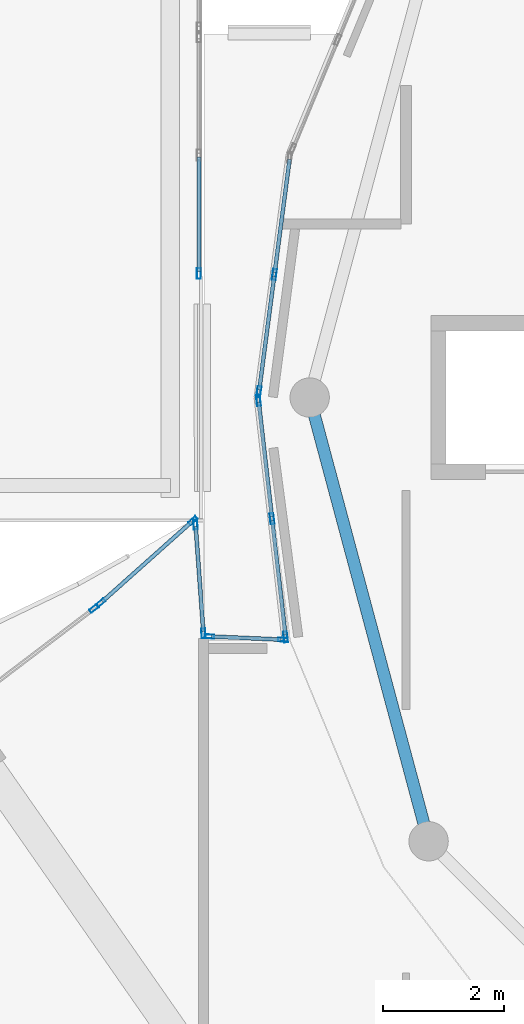
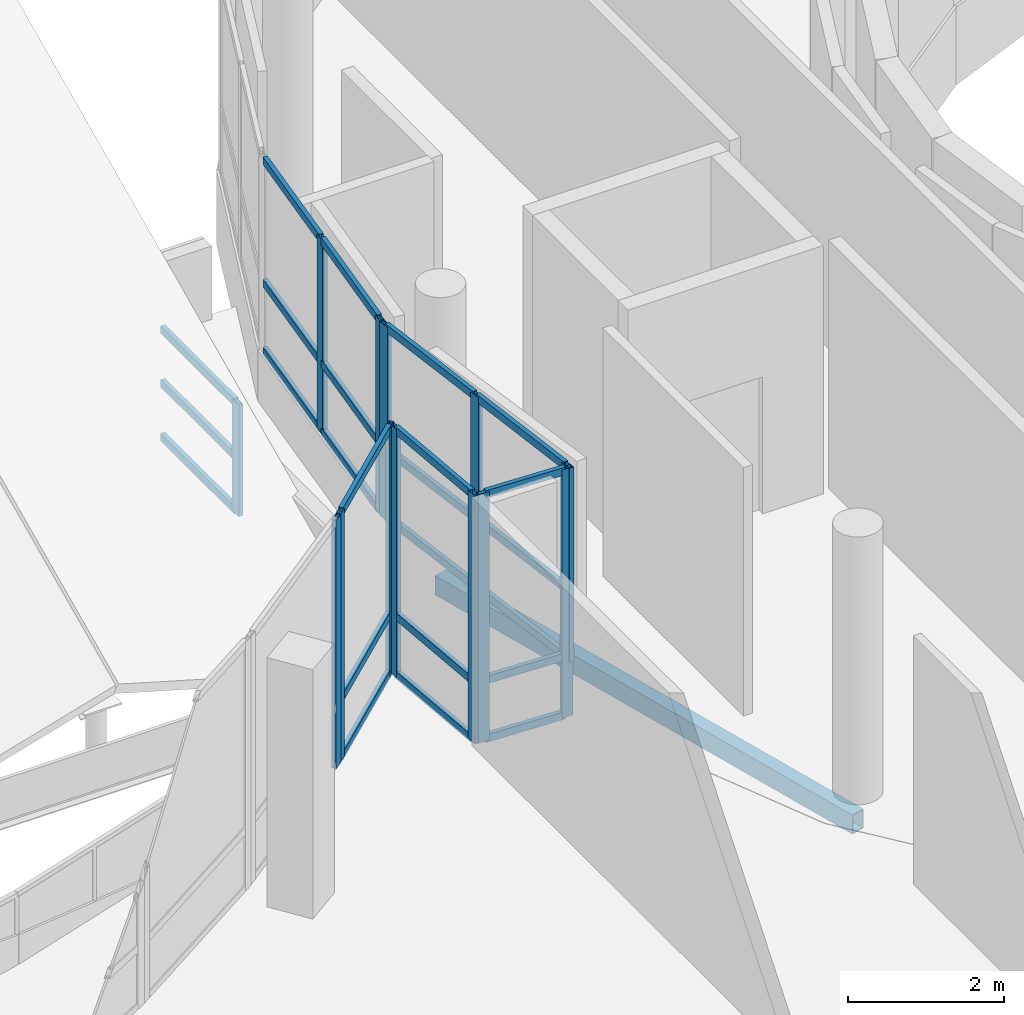
# One storey, part 57 of 184: 37 members, 1 beam, 7 elements without a shape of their own.
"""IFC4 building model written with IfcOpenShell, lengths in metres."""

from ifc_helpers import new_model, si_unit, direction, frame, origin, origin_2d, place, context, subcontext, project, spatial, hollow_rectangle, extrude, material, material_profile, profile_set, type_object, element, aggregate, save


model = new_model("IFC4")

# Units and contexts
model_context = context("Model", 3, precision=1e-05, world=origin(), true_north=direction((0.0, 1.0)))
body_context = subcontext(model_context, "Body", "Model", "MODEL_VIEW")
ifc_project = project(units=[si_unit("LENGTHUNIT", "METRE"), si_unit("AREAUNIT", "SQUARE_METRE"), si_unit("VOLUMEUNIT", "CUBIC_METRE"), si_unit("PLANEANGLEUNIT", "RADIAN"), si_unit("MASSUNIT", "GRAM", prefix="KILO")], contexts=[model_context])

# Site, building, storey
site_placement = place(None, origin())
site = spatial("IfcSite", under=ifc_project, at=site_placement, CompositionType="ELEMENT")
building_placement = place(site_placement, origin())
building = spatial("IfcBuilding", under=site, at=building_placement, Name="Selatvlak General Hospital", CompositionType="ELEMENT")
storey_placement = place(building_placement, frame((0.0, 0.0, 15.0)))
storey = spatial("IfcBuildingStorey", under=building, at=storey_placement, Name="L03", CompositionType="ELEMENT", Elevation=15.0)

# Beam
ifc_material_1 = material(Name="Steel S355", Category="steel")
ifc_material_profile_1 = material_profile(ifc_material_1, hollow_rectangle(XDim=0.199951171875, YDim=0.300048828125, WallThickness=0.011962890625, at=origin_2d()), Name="RHS 300x200x12")
ifc_profile_set_1 = profile_set([ifc_material_profile_1], Name="Steel S355")
beam_type = type_object("IfcBeamType", Name="BM-SP3", PredefinedType="SPANDREL", material=ifc_profile_set_1)
beam_placement = place(storey_placement, frame((83.35009765625, 54.0, -0.489990234375), z_axis=(0.25884068345, -0.965920028052, 0.0), x_axis=(0.965920028052, 0.25884068345, 0.0)))
element("IfcBeam", 1, at=beam_placement, inside=storey, type_object=beam_type, Name="Beam BMR-L03-1457", PredefinedType="SPANDREL", context=body_context, shape_type="SweptSolid", body=[
    extrude(hollow_rectangle(XDim=0.199951171875, YDim=0.300048828125, WallThickness=0.011962890625, at=origin_2d()), origin(), (0.0, 0.0, 1.0), 7.58349609375),
])

# Curtain wall, member
ifc_material_2 = material(Name="Solar-control Low-E double glazing", Category="glass")
curtain_wall_type_1 = type_object("IfcCurtainWallType", Name="CW-CW-02", PredefinedType="USERDEFINED", material=ifc_material_2)
curtain_wall_1_placement = place(storey_placement, origin())
curtain_wall_1 = element("IfcCurtainWall", 2, at=curtain_wall_1_placement, inside=storey, type_object=curtain_wall_type_1, Name="Glazed facade curtain wall CW-L03-0458", ObjectType="UNITISED CURTAIN WALL", PredefinedType="USERDEFINED")
ifc_material_3 = material(Name="Dark anodised aluminium mullion", Category="aluminium")
ifc_material_profile_2 = material_profile(ifc_material_3, hollow_rectangle(XDim=0.06494140625, YDim=0.159912109375, WallThickness=0.00390625, at=origin_2d()), Name="AL-MUL 65x160x4")
ifc_profile_set_2 = profile_set([ifc_material_profile_2], Name="Dark anodised aluminium mullion")
member_type_1 = type_object("IfcMemberType", Name="CWM-01", PredefinedType="MULLION", material=ifc_profile_set_2)
member_1_placement = place(storey_placement, frame((79.7919921875, 50.517333984375, 0.0), z_axis=(0.0, 0.0, 1.0), x_axis=(-0.604514782215, 0.796593922952, 0.0)))
member_1 = element("IfcMember", 3, at=member_1_placement, type_object=member_type_1, Name="CW-02 mullion 2", PredefinedType="MULLION", context=body_context, shape_type="SweptSolid", body=[
    extrude(hollow_rectangle(XDim=0.06494140625, YDim=0.159912109375, WallThickness=0.00390625, at=origin_2d()), origin(), (0.0, 0.0, 1.0), 3.89501953125),
])
aggregate(curtain_wall_1, [member_1])

# Curtain wall, members
curtain_wall_type_2 = type_object("IfcCurtainWallType", Name="CW-CW-01", PredefinedType="USERDEFINED", material=ifc_material_2)
curtain_wall_2_placement = place(storey_placement, origin())
curtain_wall_2 = element("IfcCurtainWall", 4, at=curtain_wall_2_placement, inside=storey, type_object=curtain_wall_type_2, Name="Glazed facade curtain wall CW-L03-0459", ObjectType="UNITISED CURTAIN WALL", PredefinedType="USERDEFINED")
member_2_placement = place(storey_placement, frame((79.90234375, 50.610595703125, 0.0), z_axis=(0.0, 0.0, 1.0), x_axis=(-0.665543284267, 0.746359254493, 0.0)))
member_2 = element("IfcMember", 5, at=member_2_placement, type_object=member_type_1, Name="CW-01 mullion 1", PredefinedType="MULLION", context=body_context, shape_type="SweptSolid", body=[
    extrude(hollow_rectangle(XDim=0.06494140625, YDim=0.159912109375, WallThickness=0.00390625, at=origin_2d()), origin(), (0.0, 0.0, 1.0), 3.89501953125),
])
member_3_placement = place(storey_placement, frame((81.423828125, 51.96728515625, 0.0), z_axis=(0.0, 0.0, 1.0), x_axis=(-0.665543284267, 0.746359254493, 0.0)))
member_3 = element("IfcMember", 6, at=member_3_placement, type_object=member_type_1, Name="CW-01 mullion 2", PredefinedType="MULLION", context=body_context, shape_type="SweptSolid", body=[
    extrude(hollow_rectangle(XDim=0.06494140625, YDim=0.159912109375, WallThickness=0.00390625, at=origin_2d()), origin(), (0.0, 0.0, 1.0), 3.89501953125),
])

curtain_wall_3_placement = place(storey_placement, origin())
curtain_wall_3 = element("IfcCurtainWall", 7, at=curtain_wall_3_placement, inside=storey, type_object=curtain_wall_type_1, Name="Glazed facade curtain wall CW-L03-0460", ObjectType="UNITISED CURTAIN WALL", PredefinedType="USERDEFINED")
member_4_placement = place(storey_placement, frame((81.46630859375, 51.901611328125, 0.0), z_axis=(0.0, 0.0, 1.0), x_axis=(0.997373573981, 0.072428957772, 0.0)))
member_4 = element("IfcMember", 8, at=member_4_placement, type_object=member_type_1, Name="CW-02 mullion 1", PredefinedType="MULLION", context=body_context, shape_type="SweptSolid", body=[
    extrude(hollow_rectangle(XDim=0.06494140625, YDim=0.159912109375, WallThickness=0.00390625, at=origin_2d()), origin(), (0.0, 0.0, 1.0), 3.89501953125),
])
member_5_placement = place(storey_placement, frame((81.5966796875, 50.107421875, 0.0), z_axis=(0.0, 0.0, 1.0), x_axis=(0.997373573981, 0.072428957772, 0.0)))
member_5 = element("IfcMember", 9, at=member_5_placement, type_object=member_type_1, Name="CW-02 mullion 2", PredefinedType="MULLION", context=body_context, shape_type="SweptSolid", body=[
    extrude(hollow_rectangle(XDim=0.06494140625, YDim=0.159912109375, WallThickness=0.00390625, at=origin_2d()), origin(), (0.0, 0.0, 1.0), 3.89501953125),
])

curtain_wall_4_placement = place(storey_placement, origin())
curtain_wall_4 = element("IfcCurtainWall", 10, at=curtain_wall_4_placement, inside=storey, type_object=curtain_wall_type_2, Name="Glazed facade curtain wall CW-L03-0461", ObjectType="UNITISED CURTAIN WALL", PredefinedType="USERDEFINED")
member_6_placement = place(storey_placement, frame((81.697509765625, 50.0556640625, 0.0), z_axis=(0.0, 0.0, 1.0), x_axis=(0.043776459829, 0.999041351279, 0.0)))
member_6 = element("IfcMember", 11, at=member_6_placement, type_object=member_type_1, Name="CW-01 mullion 1", PredefinedType="MULLION", context=body_context, shape_type="SweptSolid", body=[
    extrude(hollow_rectangle(XDim=0.06494140625, YDim=0.159912109375, WallThickness=0.00390625, at=origin_2d()), origin(), (0.0, 0.0, 1.0), 3.89501953125),
])
member_7_placement = place(storey_placement, frame((82.91064453125, 50.00244140625, 0.0), z_axis=(0.0, 0.0, 1.0), x_axis=(0.043776459829, 0.999041351279, 0.0)))
member_7 = element("IfcMember", 12, at=member_7_placement, type_object=member_type_1, Name="CW-01 mullion 2", PredefinedType="MULLION", context=body_context, shape_type="SweptSolid", body=[
    extrude(hollow_rectangle(XDim=0.06494140625, YDim=0.159912109375, WallThickness=0.00390625, at=origin_2d()), origin(), (0.0, 0.0, 1.0), 3.89501953125),
])

curtain_wall_type_3 = type_object("IfcCurtainWallType", Name="CW-CW-05", PredefinedType="USERDEFINED", material=ifc_material_2)
curtain_wall_5_placement = place(storey_placement, origin())
curtain_wall_5 = element("IfcCurtainWall", 13, at=curtain_wall_5_placement, inside=storey, type_object=curtain_wall_type_3, Name="Glazed facade curtain wall CW-L03-0462", ObjectType="STICK GLAZING WALL", PredefinedType="USERDEFINED")
ifc_material_profile_3 = material_profile(ifc_material_3, hollow_rectangle(XDim=0.06494140625, YDim=0.179931640625, WallThickness=0.00439453125, at=origin_2d()), Name="AL-MUL 65x180x4.5")
ifc_profile_set_3 = profile_set([ifc_material_profile_3], Name="Dark anodised aluminium mullion")
member_type_2 = type_object("IfcMemberType", Name="CWM-02", PredefinedType="MULLION", material=ifc_profile_set_3)
member_8_placement = place(storey_placement, frame((82.952392578125, 50.04736328125, 0.85009765625), z_axis=(0.0, 0.0, 1.0), x_axis=(-0.993521372062, -0.113645427787, 0.0)))
member_8 = element("IfcMember", 14, at=member_8_placement, type_object=member_type_2, Name="CW-05 mullion 1", PredefinedType="MULLION", context=body_context, shape_type="SweptSolid", body=[
    extrude(hollow_rectangle(XDim=0.06494140625, YDim=0.179931640625, WallThickness=0.00439453125, at=origin_2d()), origin(), (0.0, 0.0, 1.0), 3.044921875),
])
member_9_placement = place(storey_placement, frame((82.72900390625, 51.99951171875, 0.85009765625), z_axis=(0.0, 0.0, 1.0), x_axis=(-0.993521372062, -0.113645427787, 0.0)))
member_9 = element("IfcMember", 15, at=member_9_placement, type_object=member_type_2, Name="CW-05 mullion 2", PredefinedType="MULLION", context=body_context, shape_type="SweptSolid", body=[
    extrude(hollow_rectangle(XDim=0.06494140625, YDim=0.179931640625, WallThickness=0.00439453125, at=origin_2d()), origin(), (0.0, 0.0, 1.0), 3.044921875),
])
member_10_placement = place(storey_placement, frame((82.505615234375, 53.95166015625, 0.85009765625), z_axis=(0.0, 0.0, 1.0), x_axis=(-0.993521372062, -0.113645427787, 0.0)))
member_10 = element("IfcMember", 16, at=member_10_placement, type_object=member_type_2, Name="CW-05 mullion 3", PredefinedType="MULLION", context=body_context, shape_type="SweptSolid", body=[
    extrude(hollow_rectangle(XDim=0.06494140625, YDim=0.179931640625, WallThickness=0.00439453125, at=origin_2d()), origin(), (0.0, 0.0, 1.0), 3.044921875),
])

curtain_wall_type_4 = type_object("IfcCurtainWallType", Name="CW-CW-04", PredefinedType="USERDEFINED", material=ifc_material_2)
curtain_wall_6_placement = place(storey_placement, origin())
curtain_wall_6 = element("IfcCurtainWall", 17, at=curtain_wall_6_placement, inside=storey, type_object=curtain_wall_type_4, Name="Glazed facade curtain wall CW-L03-0463", ObjectType="STICK GLAZING WALL", PredefinedType="USERDEFINED")
member_11_placement = place(storey_placement, frame((82.51318359375, 54.09619140625, 0.85009765625), z_axis=(0.0, 0.0, 1.0), x_axis=(-0.991466306804, 0.130363194467, 0.0)))
member_11 = element("IfcMember", 18, at=member_11_placement, type_object=member_type_2, Name="CW-04 mullion 1", PredefinedType="MULLION", context=body_context, shape_type="SweptSolid", body=[
    extrude(hollow_rectangle(XDim=0.06494140625, YDim=0.179931640625, WallThickness=0.00439453125, at=origin_2d()), origin(), (0.0, 0.0, 1.0), 3.044921875),
])
member_12_placement = place(storey_placement, frame((82.767578125, 56.030029296875, 0.85009765625), z_axis=(0.0, 0.0, 1.0), x_axis=(-0.991466306804, 0.130363194467, 0.0)))
member_12 = element("IfcMember", 19, at=member_12_placement, type_object=member_type_2, Name="CW-04 mullion 2", PredefinedType="MULLION", context=body_context, shape_type="SweptSolid", body=[
    extrude(hollow_rectangle(XDim=0.06494140625, YDim=0.179931640625, WallThickness=0.00439453125, at=origin_2d()), origin(), (0.0, 0.0, 1.0), 3.044921875),
])

# Curtain wall, member
curtain_wall_7_placement = place(storey_placement, origin())
curtain_wall_7 = element("IfcCurtainWall", 20, at=curtain_wall_7_placement, inside=storey, type_object=curtain_wall_type_3, Name="Glazed facade curtain wall CW-L03-0730", ObjectType="STICK GLAZING WALL", PredefinedType="USERDEFINED")
member_13_placement = place(storey_placement, frame((81.52001953125, 56.047607421875, 0.0), z_axis=(0.0, 0.0, 1.0), x_axis=(-1.0, 0.0, 0.0)))
member_13 = element("IfcMember", 21, at=member_13_placement, type_object=member_type_2, Name="CW-05 mullion 1", PredefinedType="MULLION", context=body_context, shape_type="SweptSolid", body=[
    extrude(hollow_rectangle(XDim=0.06494140625, YDim=0.179931640625, WallThickness=0.00439453125, at=origin_2d()), origin(), (0.0, 0.0, 1.0), 1.75),
])

# Member
ifc_material_profile_4 = material_profile(ifc_material_3, hollow_rectangle(XDim=0.06494140625, YDim=0.1201171875, WallThickness=0.00390625, at=origin_2d()), Name="AL-TRN 65x120x4")
ifc_profile_set_4 = profile_set([ifc_material_profile_4], Name="Dark anodised aluminium mullion")
member_type_3 = type_object("IfcMemberType", Name="CWT-01", PredefinedType="USERDEFINED", material=ifc_profile_set_4)
member_14_placement = place(storey_placement, frame((79.926513671875, 50.63232421875, 0.032470703125), z_axis=(0.746343597956, 0.665560841539, 0.0), x_axis=(-0.665560841539, 0.746343597956, 0.0)))
member_14 = element("IfcMember", 22, at=member_14_placement, type_object=member_type_3, Name="CW-01 transom 1.1", ObjectType="TRANSOM", PredefinedType="USERDEFINED", context=body_context, shape_type="SweptSolid", body=[
    extrude(hollow_rectangle(XDim=0.06494140625, YDim=0.1201171875, WallThickness=0.00390625, at=origin_2d()), origin(), (0.0, 0.0, 1.0), 1.973388671875),
])

member_15_placement = place(storey_placement, frame((79.926513671875, 50.63232421875, 0.949951171875), z_axis=(0.746343597956, 0.665560841539, 0.0), x_axis=(-0.665560841539, 0.746343597956, 0.0)))
member_15 = element("IfcMember", 23, at=member_15_placement, type_object=member_type_3, Name="CW-01 transom 1.2", ObjectType="TRANSOM", PredefinedType="USERDEFINED", context=body_context, shape_type="SweptSolid", body=[
    extrude(hollow_rectangle(XDim=0.06494140625, YDim=0.1201171875, WallThickness=0.00390625, at=origin_2d()), origin(), (0.0, 0.0, 1.0), 1.973388671875),
])

member_16_placement = place(storey_placement, frame((79.926513671875, 50.63232421875, 3.862548828125), z_axis=(0.746343597956, 0.665560841539, 0.0), x_axis=(-0.665560841539, 0.746343597956, 0.0)))
member_16 = element("IfcMember", 24, at=member_16_placement, type_object=member_type_3, Name="CW-01 transom 1.3", ObjectType="TRANSOM", PredefinedType="USERDEFINED", context=body_context, shape_type="SweptSolid", body=[
    extrude(hollow_rectangle(XDim=0.06494140625, YDim=0.1201171875, WallThickness=0.00390625, at=origin_2d()), origin(), (0.0, 0.0, 1.0), 1.973388671875),
])

aggregate(curtain_wall_2, [member_2, member_3, member_14, member_15, member_16])

member_17_placement = place(storey_placement, frame((81.46875, 51.869140625, 0.032470703125), z_axis=(0.072377795575, -0.997377288045, 0.0), x_axis=(0.997377288045, 0.072377795575, 0.0)))
member_17 = element("IfcMember", 25, at=member_17_placement, type_object=member_type_3, Name="CW-02 transom 1.1", ObjectType="TRANSOM", PredefinedType="USERDEFINED", context=body_context, shape_type="SweptSolid", body=[
    extrude(hollow_rectangle(XDim=0.06494140625, YDim=0.1201171875, WallThickness=0.00390625, at=origin_2d()), origin(), (0.0, 0.0, 1.0), 1.73388671875),
])

member_18_placement = place(storey_placement, frame((81.46875, 51.869140625, 0.949951171875), z_axis=(0.072377795575, -0.997377288045, 0.0), x_axis=(0.997377288045, 0.072377795575, 0.0)))
member_18 = element("IfcMember", 26, at=member_18_placement, type_object=member_type_3, Name="CW-02 transom 1.2", ObjectType="TRANSOM", PredefinedType="USERDEFINED", context=body_context, shape_type="SweptSolid", body=[
    extrude(hollow_rectangle(XDim=0.06494140625, YDim=0.1201171875, WallThickness=0.00390625, at=origin_2d()), origin(), (0.0, 0.0, 1.0), 1.73388671875),
])

member_19_placement = place(storey_placement, frame((81.46875, 51.869140625, 3.862548828125), z_axis=(0.072377795575, -0.997377288045, 0.0), x_axis=(0.997377288045, 0.072377795575, 0.0)))
member_19 = element("IfcMember", 27, at=member_19_placement, type_object=member_type_3, Name="CW-02 transom 1.3", ObjectType="TRANSOM", PredefinedType="USERDEFINED", context=body_context, shape_type="SweptSolid", body=[
    extrude(hollow_rectangle(XDim=0.06494140625, YDim=0.1201171875, WallThickness=0.00390625, at=origin_2d()), origin(), (0.0, 0.0, 1.0), 1.73388671875),
])

aggregate(curtain_wall_3, [member_4, member_5, member_17, member_18, member_19])

member_20_placement = place(storey_placement, frame((81.72998046875, 50.05419921875, 0.032470703125), z_axis=(0.999042078086, -0.043759869889, 0.0), x_axis=(0.043759869889, 0.999042078086, 0.0)))
member_20 = element("IfcMember", 28, at=member_20_placement, type_object=member_type_3, Name="CW-01 transom 1.1", ObjectType="TRANSOM", PredefinedType="USERDEFINED", context=body_context, shape_type="SweptSolid", body=[
    extrude(hollow_rectangle(XDim=0.06494140625, YDim=0.1201171875, WallThickness=0.00390625, at=origin_2d()), origin(), (0.0, 0.0, 1.0), 1.1494140625),
])

member_21_placement = place(storey_placement, frame((81.72998046875, 50.05419921875, 0.949951171875), z_axis=(0.999042078086, -0.043759869889, 0.0), x_axis=(0.043759869889, 0.999042078086, 0.0)))
member_21 = element("IfcMember", 29, at=member_21_placement, type_object=member_type_3, Name="CW-01 transom 1.2", ObjectType="TRANSOM", PredefinedType="USERDEFINED", context=body_context, shape_type="SweptSolid", body=[
    extrude(hollow_rectangle(XDim=0.06494140625, YDim=0.1201171875, WallThickness=0.00390625, at=origin_2d()), origin(), (0.0, 0.0, 1.0), 1.1494140625),
])

member_22_placement = place(storey_placement, frame((81.72998046875, 50.05419921875, 3.862548828125), z_axis=(0.999042078086, -0.043759869889, 0.0), x_axis=(0.043759869889, 0.999042078086, 0.0)))
member_22 = element("IfcMember", 30, at=member_22_placement, type_object=member_type_3, Name="CW-01 transom 1.3", ObjectType="TRANSOM", PredefinedType="USERDEFINED", context=body_context, shape_type="SweptSolid", body=[
    extrude(hollow_rectangle(XDim=0.06494140625, YDim=0.1201171875, WallThickness=0.00390625, at=origin_2d()), origin(), (0.0, 0.0, 1.0), 1.1494140625),
])

aggregate(curtain_wall_4, [member_6, member_7, member_20, member_21, member_22])

member_23_placement = place(storey_placement, frame((82.94873046875, 50.07958984375, 0.882568359375), z_axis=(-0.113716913518, 0.993513192454, 0.0), x_axis=(-0.993513192454, -0.113716913518, 0.0)))
member_23 = element("IfcMember", 31, at=member_23_placement, type_object=member_type_3, Name="CW-05 transom 1.1", ObjectType="TRANSOM", PredefinedType="USERDEFINED", context=body_context, shape_type="SweptSolid", body=[
    extrude(hollow_rectangle(XDim=0.06494140625, YDim=0.1201171875, WallThickness=0.00390625, at=origin_2d()), origin(), (0.0, 0.0, 1.0), 1.89990234375),
])

member_24_placement = place(storey_placement, frame((82.94873046875, 50.07958984375, 1.947021484375), z_axis=(-0.113716913518, 0.993513192454, 0.0), x_axis=(-0.993513192454, -0.113716913518, 0.0)))
member_24 = element("IfcMember", 32, at=member_24_placement, type_object=member_type_3, Name="CW-05 transom 1.2", ObjectType="TRANSOM", PredefinedType="USERDEFINED", context=body_context, shape_type="SweptSolid", body=[
    extrude(hollow_rectangle(XDim=0.06494140625, YDim=0.1201171875, WallThickness=0.00390625, at=origin_2d()), origin(), (0.0, 0.0, 1.0), 1.89990234375),
])

member_25_placement = place(storey_placement, frame((82.94873046875, 50.07958984375, 3.862548828125), z_axis=(-0.113716913518, 0.993513192454, 0.0), x_axis=(-0.993513192454, -0.113716913518, 0.0)))
member_25 = element("IfcMember", 33, at=member_25_placement, type_object=member_type_3, Name="CW-05 transom 1.3", ObjectType="TRANSOM", PredefinedType="USERDEFINED", context=body_context, shape_type="SweptSolid", body=[
    extrude(hollow_rectangle(XDim=0.06494140625, YDim=0.1201171875, WallThickness=0.00390625, at=origin_2d()), origin(), (0.0, 0.0, 1.0), 1.89990234375),
])

member_26_placement = place(storey_placement, frame((82.725341796875, 52.03173828125, 0.882568359375), z_axis=(-0.113716913518, 0.993513192454, 0.0), x_axis=(-0.993513192454, -0.113716913518, 0.0)))
member_26 = element("IfcMember", 34, at=member_26_placement, type_object=member_type_3, Name="CW-05 transom 2.1", ObjectType="TRANSOM", PredefinedType="USERDEFINED", context=body_context, shape_type="SweptSolid", body=[
    extrude(hollow_rectangle(XDim=0.06494140625, YDim=0.1201171875, WallThickness=0.00390625, at=origin_2d()), origin(), (0.0, 0.0, 1.0), 1.89990234375),
])

member_27_placement = place(storey_placement, frame((82.725341796875, 52.03173828125, 1.947021484375), z_axis=(-0.113716913518, 0.993513192454, 0.0), x_axis=(-0.993513192454, -0.113716913518, 0.0)))
member_27 = element("IfcMember", 35, at=member_27_placement, type_object=member_type_3, Name="CW-05 transom 2.2", ObjectType="TRANSOM", PredefinedType="USERDEFINED", context=body_context, shape_type="SweptSolid", body=[
    extrude(hollow_rectangle(XDim=0.06494140625, YDim=0.1201171875, WallThickness=0.00390625, at=origin_2d()), origin(), (0.0, 0.0, 1.0), 1.89990234375),
])

member_28_placement = place(storey_placement, frame((82.725341796875, 52.03173828125, 3.862548828125), z_axis=(-0.113716913518, 0.993513192454, 0.0), x_axis=(-0.993513192454, -0.113716913518, 0.0)))
member_28 = element("IfcMember", 36, at=member_28_placement, type_object=member_type_3, Name="CW-05 transom 2.3", ObjectType="TRANSOM", PredefinedType="USERDEFINED", context=body_context, shape_type="SweptSolid", body=[
    extrude(hollow_rectangle(XDim=0.06494140625, YDim=0.1201171875, WallThickness=0.00390625, at=origin_2d()), origin(), (0.0, 0.0, 1.0), 1.89990234375),
])

aggregate(curtain_wall_5, [member_8, member_9, member_10, member_23, member_24, member_25, member_26, member_27, member_28])

member_29_placement = place(storey_placement, frame((82.517578125, 54.12841796875, 0.882568359375), z_axis=(0.130263585634, 0.991479398807, 0.0), x_axis=(-0.991479398807, 0.130263585634, 0.0)))
member_29 = element("IfcMember", 37, at=member_29_placement, type_object=member_type_3, Name="CW-04 transom 1.1", ObjectType="TRANSOM", PredefinedType="USERDEFINED", context=body_context, shape_type="SweptSolid", body=[
    extrude(hollow_rectangle(XDim=0.06494140625, YDim=0.1201171875, WallThickness=0.00390625, at=origin_2d()), origin(), (0.0, 0.0, 1.0), 1.885498046875),
])

member_30_placement = place(storey_placement, frame((82.517578125, 54.12841796875, 1.947021484375), z_axis=(0.130263585634, 0.991479398807, 0.0), x_axis=(-0.991479398807, 0.130263585634, 0.0)))
member_30 = element("IfcMember", 38, at=member_30_placement, type_object=member_type_3, Name="CW-04 transom 1.2", ObjectType="TRANSOM", PredefinedType="USERDEFINED", context=body_context, shape_type="SweptSolid", body=[
    extrude(hollow_rectangle(XDim=0.06494140625, YDim=0.1201171875, WallThickness=0.00390625, at=origin_2d()), origin(), (0.0, 0.0, 1.0), 1.885498046875),
])

member_31_placement = place(storey_placement, frame((82.517578125, 54.12841796875, 3.862548828125), z_axis=(0.130263585634, 0.991479398807, 0.0), x_axis=(-0.991479398807, 0.130263585634, 0.0)))
member_31 = element("IfcMember", 39, at=member_31_placement, type_object=member_type_3, Name="CW-04 transom 1.3", ObjectType="TRANSOM", PredefinedType="USERDEFINED", context=body_context, shape_type="SweptSolid", body=[
    extrude(hollow_rectangle(XDim=0.06494140625, YDim=0.1201171875, WallThickness=0.00390625, at=origin_2d()), origin(), (0.0, 0.0, 1.0), 1.885498046875),
])

member_32_placement = place(storey_placement, frame((82.771728515625, 56.062255859375, 0.882568359375), z_axis=(0.13039087187, 0.991462667241, 0.0), x_axis=(-0.991462667241, 0.13039087187, 0.0)))
member_32 = element("IfcMember", 40, at=member_32_placement, type_object=member_type_3, Name="CW-04 transom 2.1", ObjectType="TRANSOM", PredefinedType="USERDEFINED", context=body_context, shape_type="SweptSolid", body=[
    extrude(hollow_rectangle(XDim=0.06494140625, YDim=0.1201171875, WallThickness=0.00390625, at=origin_2d()), origin(), (0.0, 0.0, 1.0), 1.885498046875),
])

member_33_placement = place(storey_placement, frame((82.771728515625, 56.062255859375, 1.947021484375), z_axis=(0.13039087187, 0.991462667241, 0.0), x_axis=(-0.991462667241, 0.13039087187, 0.0)))
member_33 = element("IfcMember", 41, at=member_33_placement, type_object=member_type_3, Name="CW-04 transom 2.2", ObjectType="TRANSOM", PredefinedType="USERDEFINED", context=body_context, shape_type="SweptSolid", body=[
    extrude(hollow_rectangle(XDim=0.06494140625, YDim=0.1201171875, WallThickness=0.00390625, at=origin_2d()), origin(), (0.0, 0.0, 1.0), 1.885498046875),
])

member_34_placement = place(storey_placement, frame((82.771728515625, 56.062255859375, 3.862548828125), z_axis=(0.13039087187, 0.991462667241, 0.0), x_axis=(-0.991462667241, 0.13039087187, 0.0)))
member_34 = element("IfcMember", 42, at=member_34_placement, type_object=member_type_3, Name="CW-04 transom 2.3", ObjectType="TRANSOM", PredefinedType="USERDEFINED", context=body_context, shape_type="SweptSolid", body=[
    extrude(hollow_rectangle(XDim=0.06494140625, YDim=0.1201171875, WallThickness=0.00390625, at=origin_2d()), origin(), (0.0, 0.0, 1.0), 1.885498046875),
])

aggregate(curtain_wall_6, [member_11, member_12, member_29, member_30, member_31, member_32, member_33, member_34])

member_35_placement = place(storey_placement, frame((81.52001953125, 56.080078125, 0.032470703125), z_axis=(0.0, 1.0, 0.0), x_axis=(-1.0, 0.0, 0.0)))
member_35 = element("IfcMember", 43, at=member_35_placement, type_object=member_type_3, Name="CW-05 transom 1.1", ObjectType="TRANSOM", PredefinedType="USERDEFINED", context=body_context, shape_type="SweptSolid", body=[
    extrude(hollow_rectangle(XDim=0.06494140625, YDim=0.1201171875, WallThickness=0.00390625, at=origin_2d()), origin(), (0.0, 0.0, 1.0), 1.887451171875),
])

member_36_placement = place(storey_placement, frame((81.52001953125, 56.080078125, 0.875), z_axis=(0.0, 1.0, 0.0), x_axis=(-1.0, 0.0, 0.0)))
member_36 = element("IfcMember", 44, at=member_36_placement, type_object=member_type_3, Name="CW-05 transom 1.2", ObjectType="TRANSOM", PredefinedType="USERDEFINED", context=body_context, shape_type="SweptSolid", body=[
    extrude(hollow_rectangle(XDim=0.06494140625, YDim=0.1201171875, WallThickness=0.00390625, at=origin_2d()), origin(), (0.0, 0.0, 1.0), 1.887451171875),
])

member_37_placement = place(storey_placement, frame((81.52001953125, 56.080078125, 1.717529296875), z_axis=(0.0, 1.0, 0.0), x_axis=(-1.0, 0.0, 0.0)))
member_37 = element("IfcMember", 45, at=member_37_placement, type_object=member_type_3, Name="CW-05 transom 1.3", ObjectType="TRANSOM", PredefinedType="USERDEFINED", context=body_context, shape_type="SweptSolid", body=[
    extrude(hollow_rectangle(XDim=0.06494140625, YDim=0.1201171875, WallThickness=0.00390625, at=origin_2d()), origin(), (0.0, 0.0, 1.0), 1.887451171875),
])

aggregate(curtain_wall_7, [member_13, member_35, member_36, member_37])

save(model, "model.ifc")
